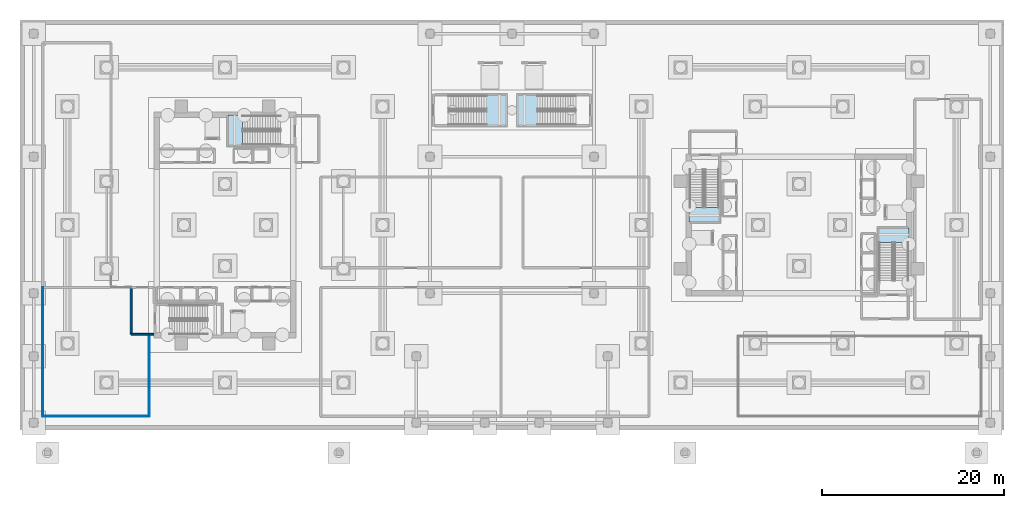
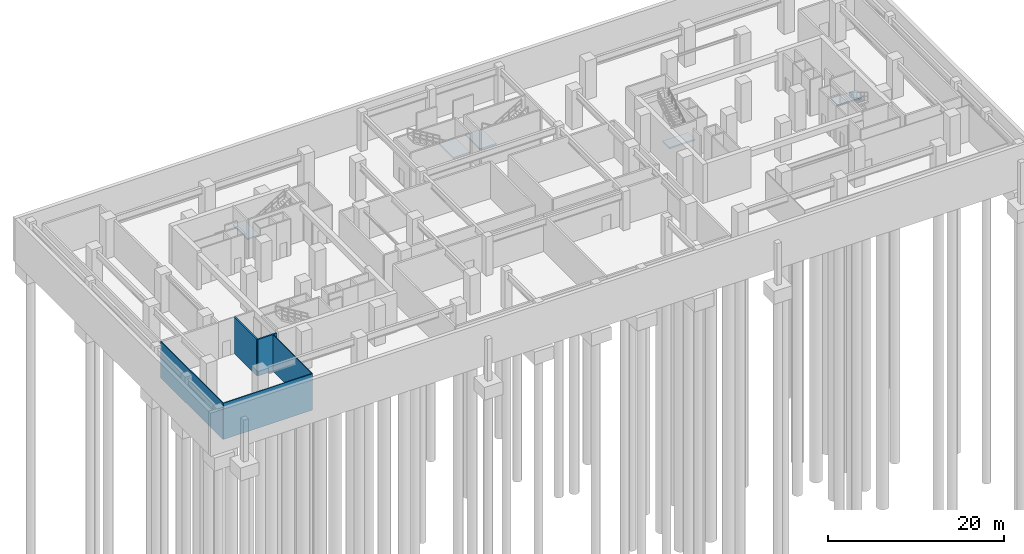
# One storey, part 3 of 14: 5 slabs, 5 walls, 5 elements without a shape of their own.
"""IFC4 building model written with IfcOpenShell, lengths in metres."""

import ifcopenshell
import ifcopenshell.guid

model = None  # the IFC model being written
_history = None  # IfcOwnerHistory: only IFC2X3 demands one
_inside = {}  # id of a spatial element -> (the spatial element, [elements in it])
_under = {}  # id of a project, library or spatial element -> (it, [spatial elements below it])
_declared = {}  # id of a project -> (the project, [libraries it declares])
_typed = {}  # id of a type object -> (the type object, [elements of that type])
_made_of = {}  # id of a material, layer set ... -> (it, [elements and type objects made of it])


def new_model(schema):
    """Start an empty IFC model of exactly this schema.

    Asked for "IFC4X3", IfcOpenShell would pick the latest addendum, in which some entities
    have other attributes; the version numbers below select the first issue.
    IFC2X3 requires an IfcOwnerHistory on every rooted entity: one is made here for all.
    """
    global model, _history
    if schema == "IFC4X3":
        model = ifcopenshell.file(schema_version=(4, 3, 0, 0))
    else:
        model = ifcopenshell.file(schema=schema)
    _inside.clear()
    _under.clear()
    _declared.clear()
    _typed.clear()
    _made_of.clear()
    _history = None
    if model.schema == "IFC2X3":
        org = make("IfcOrganization", Name="unknown")
        user = make(
            "IfcPersonAndOrganization",
            ThePerson=make("IfcPerson", FamilyName="unknown"),
            TheOrganization=org,
        )
        app = make(
            "IfcApplication",
            ApplicationDeveloper=org,
            Version="unknown",
            ApplicationFullName="unknown",
            ApplicationIdentifier="unknown",
        )
        _history = make(
            "IfcOwnerHistory",
            OwningUser=user,
            OwningApplication=app,
            ChangeAction="ADDED",
            CreationDate=0,
        )
    return model


def make(cls, **values):
    """One entity of the class cls with the attributes given. An attribute that is None is left unset."""
    return model.create_entity(
        cls, **{name: value for name, value in values.items() if value is not None}
    )


def rooted(cls, **values):
    """An entity with a GlobalId (a new one), such as an element, a storey or a relation."""
    return make(cls, GlobalId=ifcopenshell.guid.new(), OwnerHistory=_history, **values)


def si_unit(unit_type, name, prefix=None):
    """IfcSIUnit, for example si_unit("LENGTHUNIT", "METRE", prefix="MILLI")."""
    return make("IfcSIUnit", UnitType=unit_type, Prefix=prefix, Name=name)


def assignment(units):
    """IfcUnitAssignment: the units of a project."""
    return None if units is None else make("IfcUnitAssignment", Units=units)


def point(xyz):
    """IfcCartesianPoint."""
    return None if xyz is None else make("IfcCartesianPoint", Coordinates=xyz)


def direction(xyz):
    """IfcDirection."""
    return None if xyz is None else make("IfcDirection", DirectionRatios=xyz)


def frame(location, z_axis=None, x_axis=None):
    """IfcAxis2Placement3D, a coordinate frame: its origin and axes. An axis left out is left unset."""
    return make(
        "IfcAxis2Placement3D",
        Location=point(location),
        Axis=direction(z_axis),
        RefDirection=direction(x_axis),
    )


def frame_2d(location, x_axis=None):
    """IfcAxis2Placement2D, a coordinate frame in the plane: its origin and x axis."""
    return make(
        "IfcAxis2Placement2D", Location=point(location), RefDirection=direction(x_axis)
    )


def origin():
    """The frame at (0, 0, 0) with its axes left unset."""
    return frame((0.0, 0.0, 0.0))


def place(relative_to, where):
    """IfcLocalPlacement: puts the frame where relative to a parent placement (None: the world)."""
    return make(
        "IfcLocalPlacement", PlacementRelTo=relative_to, RelativePlacement=where
    )


def context(
    kind, dimensions, precision=None, world=None, true_north=None, identifier=None
):
    """IfcGeometricRepresentationContext, for example the 3D "Model" context."""
    return make(
        "IfcGeometricRepresentationContext",
        ContextIdentifier=identifier,
        ContextType=kind,
        CoordinateSpaceDimension=dimensions,
        Precision=precision,
        WorldCoordinateSystem=world,
        TrueNorth=true_north,
    )


def subcontext(parent, identifier, kind, view, scale=None):
    """IfcGeometricRepresentationSubContext, for example "Body" below "Model"."""
    return make(
        "IfcGeometricRepresentationSubContext",
        ContextIdentifier=identifier,
        ContextType=kind,
        ParentContext=parent,
        TargetScale=scale,
        TargetView=view,
    )


def project(units=None, contexts=None):
    """IfcProject with its units and contexts."""
    return rooted(
        "IfcProject",
        Name="project",
        RepresentationContexts=contexts,
        UnitsInContext=assignment(units),
    )


def spatial(cls, under=None, at=None, **own):
    """A site, building, storey or space (cls), placed at a placement, below another one or the project."""
    s = rooted(cls, ObjectPlacement=at, **own)
    if under is not None:
        _under.setdefault(under.id(), (under, []))[1].append(s)
    return s


def polyline(points):
    """IfcPolyline through the points."""
    return make("IfcPolyline", Points=[point(p) for p in points])


def profile(cls, at=None, kind="AREA", **sizes):
    """A parametric profile (cls). Its sizes go by their IFC names, for example OverallWidth=200.0."""
    return make(cls, ProfileType=kind, Position=at, **sizes)


def rectangle(**sizes):
    """IfcRectangleProfileDef."""
    return profile("IfcRectangleProfileDef", **sizes)


def outline(outer, holes=None, kind="AREA"):
    """IfcArbitraryClosedProfileDef: a profile drawn as a closed curve; with holes, ...WithVoids."""
    if holes is None:
        return make("IfcArbitraryClosedProfileDef", ProfileType=kind, OuterCurve=outer)
    return make(
        "IfcArbitraryProfileDefWithVoids",
        ProfileType=kind,
        OuterCurve=outer,
        InnerCurves=holes,
    )


def extrude(swept, where, along, depth):
    """IfcExtrudedAreaSolid: the profile swept, set in the frame where, extruded along a direction by depth."""
    return make(
        "IfcExtrudedAreaSolid",
        SweptArea=swept,
        Position=where,
        ExtrudedDirection=direction(along),
        Depth=depth,
    )


def shape(context_of_items, identifier, shape_type, items):
    """IfcShapeRepresentation: the items that make up one representation, for example the "Body"."""
    return make(
        "IfcShapeRepresentation",
        ContextOfItems=context_of_items,
        RepresentationIdentifier=identifier,
        RepresentationType=shape_type,
        Items=items,
    )


def material(Name=None, Category=None):
    """IfcMaterial."""
    return make("IfcMaterial", Name=Name, Category=Category)


def layer(
    of_material, thickness, ventilated=None, Name=None, Category=None, Priority=None
):
    """IfcMaterialLayer: one layer of a wall or slab, of a material (None: an air gap)."""
    return make(
        "IfcMaterialLayer",
        Material=of_material,
        LayerThickness=thickness,
        IsVentilated=ventilated,
        Name=Name,
        Category=Category,
        Priority=Priority,
    )


def layer_set(layers, Name=None):
    """IfcMaterialLayerSet."""
    return make("IfcMaterialLayerSet", MaterialLayers=layers, LayerSetName=Name)


def made_of(thing, what):
    """Note that an element or type object is made of a material, layer set ...; save() writes the relation."""
    if what is not None:
        _made_of.setdefault(what.id(), (what, []))[1].append(thing)
    return thing


def type_object(cls, material=None, **own):
    """A type object (cls), such as IfcWallType, which elements share."""
    return made_of(rooted(cls, **own), material)


def element(
    cls,
    number,
    at=None,
    inside=None,
    cuts=None,
    type_object=None,
    material=None,
    context=None,
    identifier="Body",
    shape_type=None,
    held_by="IfcProductDefinitionShape",
    body=None,
    shapes=None,
    **own,
):
    """One element of the class cls, such as IfcWall. Its Tag is "e" and its number.

    at: its placement. inside: the storey or other place that contains it. cuts: it is an
    opening in that element (IfcRelVoidsElement). A single representation is given by context,
    identifier, shape_type and body (its items); several are given by shapes. held_by: the class
    of the entity that holds the representations. save() writes the other relations.
    """
    e = rooted(cls, Tag="e%d" % number, ObjectPlacement=at, **own)
    if body is not None:
        shapes = [shape(context, identifier, shape_type, body)]
    if shapes is not None:
        e.Representation = make(held_by, Representations=shapes)
    if inside is not None:
        _inside.setdefault(inside.id(), (inside, []))[1].append(e)
    if cuts is not None:
        rooted(
            "IfcRelVoidsElement", RelatingBuildingElement=cuts, RelatedOpeningElement=e
        )
    if type_object is not None:
        _typed.setdefault(type_object.id(), (type_object, []))[1].append(e)
    return made_of(e, material)


def aggregate(whole, parts):
    """IfcRelAggregates: a whole, such as a stair, and the parts it consists of."""
    return rooted("IfcRelAggregates", RelatingObject=whole, RelatedObjects=parts)


def save(model, path):
    """Write the relations noted so far, then the file.

    IfcRelAggregates (storeys below a building ...), IfcRelContainedInSpatialStructure (elements
    in a storey), IfcRelDefinesByType, IfcRelAssociatesMaterial and IfcRelDeclares: one each for
    every whole, place, type object, material and project.
    """
    for whole, parts in _under.values():
        aggregate(whole, parts)
    for where, things in _inside.values():
        rooted(
            "IfcRelContainedInSpatialStructure",
            RelatedElements=things,
            RelatingStructure=where,
        )
    for kind, things in _typed.values():
        rooted("IfcRelDefinesByType", RelatedObjects=things, RelatingType=kind)
    for what, things in _made_of.values():
        rooted("IfcRelAssociatesMaterial", RelatedObjects=things, RelatingMaterial=what)
    for by, libraries in _declared.values():
        rooted("IfcRelDeclares", RelatingContext=by, RelatedDefinitions=libraries)
    model.write(path)


model = new_model("IFC4")

# Units and contexts
model_context = context("Model", 3, precision=1e-05, world=origin(), true_north=direction((0.0, 1.0)))
body_context = subcontext(model_context, "Body", "Model", "MODEL_VIEW")
ifc_project = project(units=[si_unit("LENGTHUNIT", "METRE"), si_unit("AREAUNIT", "SQUARE_METRE"), si_unit("VOLUMEUNIT", "CUBIC_METRE"), si_unit("PLANEANGLEUNIT", "RADIAN"), si_unit("MASSUNIT", "GRAM", prefix="KILO")], contexts=[model_context])

# Site, building, storey
site_placement = place(None, origin())
site = spatial("IfcSite", under=ifc_project, at=site_placement, CompositionType="ELEMENT")
building_placement = place(site_placement, origin())
building = spatial("IfcBuilding", under=site, at=building_placement, Name="Thornwick Lancets Civic Towers", CompositionType="ELEMENT")
storey_placement = place(building_placement, frame((0.0, 0.0, -5.39990234375)))
storey = spatial("IfcBuildingStorey", under=building, at=storey_placement, Name="B01", CompositionType="ELEMENT", Elevation=-5.39990234375)

# Stair, slab
ifc_material_1 = material(Name="Concrete C40/50", Category="concrete")
stair_type = type_object("IfcStairType", Name="STAIR_DL_5400", PredefinedType="HALF_TURN_STAIR", material=ifc_material_1)
stair_1_placement = place(storey_placement, origin())
stair_1 = element("IfcStair", 1, at=stair_1_placement, inside=storey, type_object=stair_type, Name="B01 Tower A North Exit Stair ST-A2", PredefinedType="HALF_TURN_STAIR")
ifc_layer_1 = layer(ifc_material_1, 0.25, Name="Concrete C40/50")
ifc_layer_set_1 = layer_set([ifc_layer_1], Name="Concrete C40/50")
slab_type = type_object("IfcSlabType", Name="SLAB_LANDING_200", PredefinedType="LANDING", material=ifc_layer_set_1)
slab_1_placement = place(storey_placement, frame((0.0, 0.0, 2.5029296875)))
slab_1 = element("IfcSlab", 2, at=slab_1_placement, type_object=slab_type, Name="ST-A2 landing 1", PredefinedType="LANDING", context=body_context, shape_type="SweptSolid", body=[
    extrude(outline(polyline([(27.429931640625, 39.06005859375), (25.85009765625, 39.06005859375), (25.85009765625, 35.739990234375), (27.429931640625, 35.739990234375), (27.429931640625, 39.06005859375)])), origin(), (0.0, 0.0, 1.0), 0.199951171875),
])
aggregate(stair_1, [slab_1])

stair_2_placement = place(storey_placement, origin())
stair_2 = element("IfcStair", 3, at=stair_2_placement, inside=storey, type_object=stair_type, Name="B01 Tower B East Exit Stair ST-B1", PredefinedType="HALF_TURN_STAIR")
slab_2_placement = place(storey_placement, frame((0.0, 0.0, 2.5029296875)))
slab_2 = element("IfcSlab", 4, at=slab_2_placement, type_object=slab_type, Name="ST-B1 landing 1", PredefinedType="LANDING", context=body_context, shape_type="SweptSolid", body=[
    extrude(outline(polyline([(100.56005859375, 25.070068359375), (100.56005859375, 26.64990234375), (97.239990234375, 26.64990234375), (97.239990234375, 25.070068359375), (100.56005859375, 25.070068359375)])), origin(), (0.0, 0.0, 1.0), 0.199951171875),
])
aggregate(stair_2, [slab_2])

stair_3_placement = place(storey_placement, origin())
stair_3 = element("IfcStair", 5, at=stair_3_placement, inside=storey, type_object=stair_type, Name="B01 Tower B West Exit Stair ST-B2", PredefinedType="HALF_TURN_STAIR")
slab_3_placement = place(storey_placement, frame((0.0, 0.0, 2.5029296875)))
slab_3 = element("IfcSlab", 6, at=slab_3_placement, type_object=slab_type, Name="ST-B2 landing 1", PredefinedType="LANDING", context=body_context, shape_type="SweptSolid", body=[
    extrude(outline(polyline([(76.43994140625, 28.929931640625), (76.43994140625, 27.35009765625), (79.760009765625, 27.35009765625), (79.760009765625, 28.929931640625), (76.43994140625, 28.929931640625)])), origin(), (0.0, 0.0, 1.0), 0.199951171875),
])
aggregate(stair_3, [slab_3])

stair_4_placement = place(storey_placement, origin())
stair_4 = element("IfcStair", 7, at=stair_4_placement, inside=storey, type_object=stair_type, Name="B01 Podium Central West Exit Stair ST-P5", PredefinedType="HALF_TURN_STAIR")
slab_4_placement = place(storey_placement, frame((0.0, 0.0, 2.5029296875)))
slab_4 = element("IfcSlab", 8, at=slab_4_placement, type_object=slab_type, Name="ST-P5 landing 1", PredefinedType="LANDING", context=body_context, shape_type="SweptSolid", body=[
    extrude(outline(polyline([(54.169921875, 37.93994140625), (56.35009765625, 37.93994140625), (56.35009765625, 41.260009765625), (54.169921875, 41.260009765625), (54.169921875, 37.93994140625)])), origin(), (0.0, 0.0, 1.0), 0.199951171875),
])
aggregate(stair_4, [slab_4])

stair_5_placement = place(storey_placement, origin())
stair_5 = element("IfcStair", 9, at=stair_5_placement, inside=storey, type_object=stair_type, Name="B01 Podium Central East Exit Stair ST-P6", PredefinedType="HALF_TURN_STAIR")
slab_5_placement = place(storey_placement, frame((0.0, 0.0, 2.5029296875)))
slab_5 = element("IfcSlab", 10, at=slab_5_placement, type_object=slab_type, Name="ST-P6 landing 1", PredefinedType="LANDING", context=body_context, shape_type="SweptSolid", body=[
    extrude(outline(polyline([(59.830078125, 41.260009765625), (57.64990234375, 41.260009765625), (57.64990234375, 37.93994140625), (59.830078125, 37.93994140625), (59.830078125, 41.260009765625)])), origin(), (0.0, 0.0, 1.0), 0.199951171875),
])
aggregate(stair_5, [slab_5])

# Walls
ifc_material_2 = material(Name="Concrete blockwork C40/50", Category="masonry")
ifc_layer_2 = layer(ifc_material_2, 0.199951171875, Name="Concrete blockwork C40/50")
ifc_layer_set_2 = layer_set([ifc_layer_2], Name="Concrete blockwork C40/50")
wall_type_1 = type_object("IfcWallType", Name="WALL_COMP_200", PredefinedType="STANDARD", material=ifc_layer_set_2)
wall_1_placement = place(storey_placement, frame((15.199951171875, 15.0, 0.0), z_axis=(0.0, 0.0, 1.0), x_axis=(1.0, 0.0, 0.0)))
element("IfcWall", 11, at=wall_1_placement, inside=storey, type_object=wall_type_1, Name="B01 Partition B01-A-FFLOB1 E1", PredefinedType="STANDARD", context=body_context, shape_type="SweptSolid", body=[
    extrude(rectangle(XDim=2.5, YDim=0.199951171875, at=frame_2d((1.25, 0.0))), origin(), (0.0, 0.0, 1.0), 5.059814453125),
])
wall_2_placement = place(storey_placement, frame((15.199951171875, 20.14990234375, 0.0), z_axis=(0.0, 0.0, 1.0), x_axis=(0.0, -1.0, 0.0)))
element("IfcWall", 12, at=wall_2_placement, inside=storey, type_object=wall_type_1, Name="B01 Partition B01-A-FFLOB1 E4", PredefinedType="STANDARD", context=body_context, shape_type="SweptSolid", body=[
    extrude(rectangle(XDim=5.14990234375, YDim=0.199951171875, at=frame_2d((2.574951171875, 0.0))), origin(), (0.0, 0.0, 1.0), 5.059814453125),
])
ifc_material_3 = material(Name="Lightweight cellular office partition")
ifc_layer_3 = layer(ifc_material_3, 0.10009765625, Name="Lightweight cellular office partition")
ifc_layer_set_3 = layer_set([ifc_layer_3], Name="Lightweight cellular office partition")
wall_type_2 = type_object("IfcWallType", Name="WALL_PART_100", PredefinedType="PARTITIONING", material=ifc_layer_set_3)
wall_3_placement = place(storey_placement, frame((17.199951171875, 6.0, 0.0), z_axis=(0.0, 0.0, 1.0), x_axis=(-1.0, 0.0, 0.0)))
element("IfcWall", 13, at=wall_3_placement, inside=storey, type_object=wall_type_2, Name="B01 Partition B01-CYCLE E1", PredefinedType="PARTITIONING", context=body_context, shape_type="SweptSolid", body=[
    extrude(rectangle(XDim=11.699951171875, YDim=0.10009765625, at=frame_2d((5.85009765625, 0.0))), origin(), (0.0, 0.0, 1.0), 5.059814453125),
])
wall_4_placement = place(storey_placement, frame((5.5, 6.0, 0.0), z_axis=(0.0, 0.0, 1.0), x_axis=(0.0, 1.0, 0.0)))
element("IfcWall", 14, at=wall_4_placement, inside=storey, type_object=wall_type_2, Name="B01 Partition B01-CYCLE E2", PredefinedType="PARTITIONING", context=body_context, shape_type="SweptSolid", body=[
    extrude(rectangle(XDim=14.14990234375, YDim=0.10009765625, at=frame_2d((7.074951171875, 0.0))), origin(), (0.0, 0.0, 1.0), 5.059814453125),
])
wall_5_placement = place(storey_placement, frame((17.199951171875, 15.0, 0.0), z_axis=(0.0, 0.0, 1.0), x_axis=(0.0, -1.0, 0.0)))
element("IfcWall", 15, at=wall_5_placement, inside=storey, type_object=wall_type_2, Name="B01 Partition B01-CYCLE E7", PredefinedType="PARTITIONING", context=body_context, shape_type="SweptSolid", body=[
    extrude(rectangle(XDim=9.0, YDim=0.10009765625, at=frame_2d((4.5, 0.0))), origin(), (0.0, 0.0, 1.0), 5.059814453125),
])

save(model, "model.ifc")
